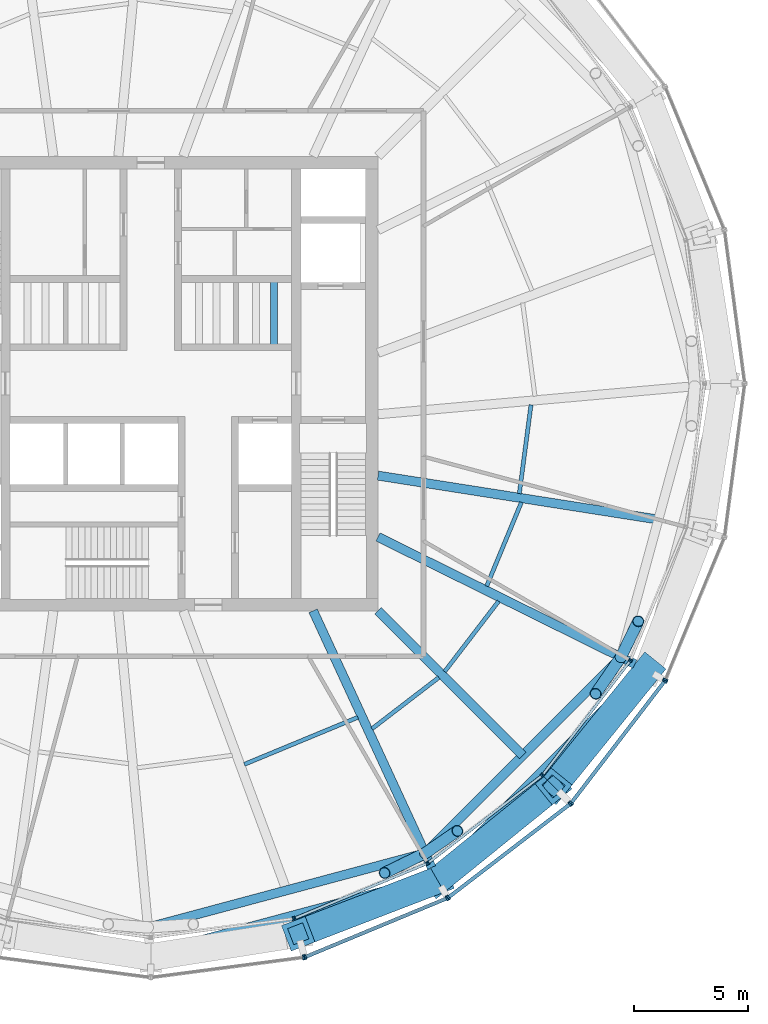
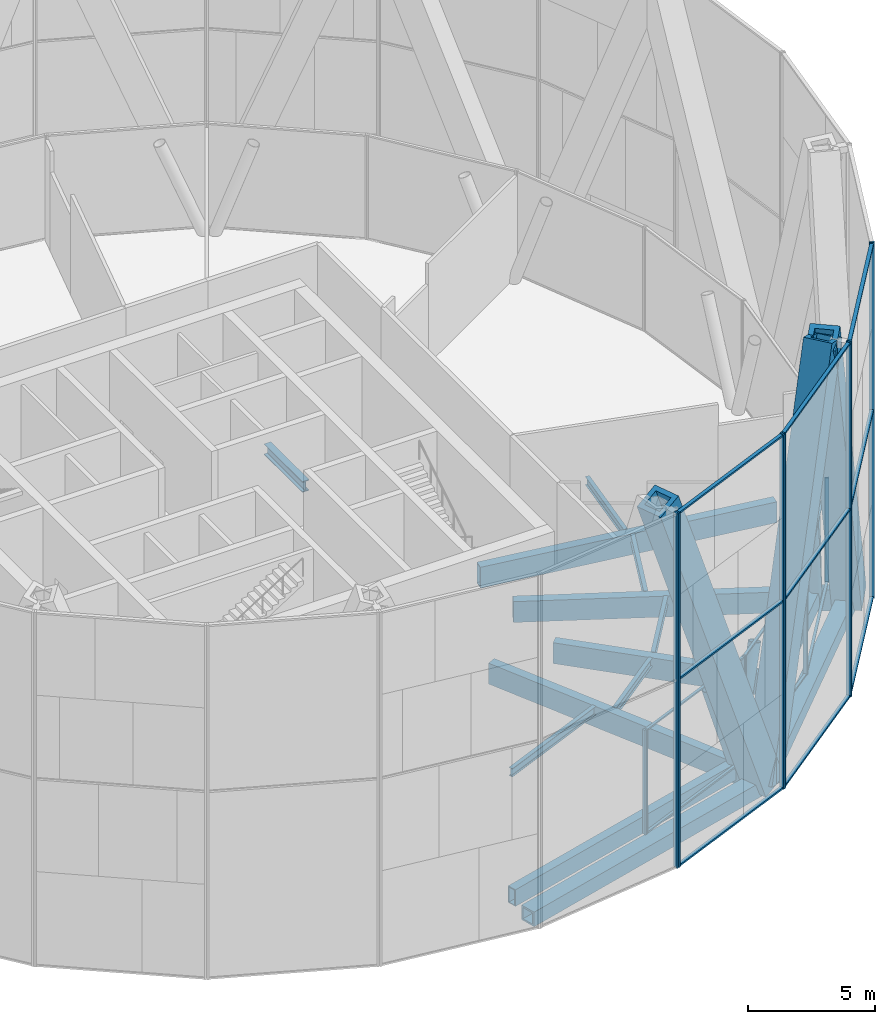
# One storey, part 4 of 17: 38 members, 14 beams, 10 elements without a shape of their own.
"""IFC4 building model written with IfcOpenShell, lengths in metres."""

from ifc_helpers import new_model, si_unit, direction, frame, origin, origin_2d, place, context, subcontext, project, spatial, rectangle, hollow_rectangle, hollow_circle, i_section, extrude, material, material_profile, profile_set, type_object, element, aggregate, save


model = new_model("IFC4")

# Units and contexts
model_context = context("Model", 3, precision=1e-05, world=origin(), true_north=direction((0.0, 1.0)))
body_context = subcontext(model_context, "Body", "Model", "MODEL_VIEW")
ifc_project = project(units=[si_unit("LENGTHUNIT", "METRE"), si_unit("AREAUNIT", "SQUARE_METRE"), si_unit("VOLUMEUNIT", "CUBIC_METRE"), si_unit("PLANEANGLEUNIT", "RADIAN"), si_unit("MASSUNIT", "GRAM", prefix="KILO")], contexts=[model_context])

# Site, building, storey
site_placement = place(None, origin())
site = spatial("IfcSite", under=ifc_project, at=site_placement, CompositionType="ELEMENT")
building_placement = place(site_placement, origin())
building = spatial("IfcBuilding", under=site, at=building_placement, Name="Golbaran Civic Tower", CompositionType="ELEMENT")
storey_placement = place(building_placement, frame((0.0, 0.0, 150.0)))
storey = spatial("IfcBuildingStorey", under=building, at=storey_placement, Name="L36", CompositionType="ELEMENT", Elevation=150.0)

# Members
ifc_material_1 = material(Name="Steel S355", Category="steel")
ifc_material_profile_1 = material_profile(ifc_material_1, hollow_circle(Radius=0.25390625, WallThickness=0.02490234375, at=origin_2d()), Name="CHS 508.0x25")
ifc_profile_set_1 = profile_set([ifc_material_profile_1], Name="Steel S355")
member_type_1 = type_object("IfcMemberType", Name="BELT TRUSS DIAGONAL CHS 508.0x25", PredefinedType="BRACE", material=ifc_profile_set_1)
member_1_placement = place(storey_placement, frame((12.068603515625, -20.66552734375, -0.60009765625), z_axis=(0.269161972985, 0.18559394057, 0.945043237912), x_axis=(-0.567660393907, 0.823262823884, 0.0)))
element("IfcMember", 1, at=member_1_placement, inside=storey, type_object=member_type_1, Name="Belt truss diagonal 300.00R L36", PredefinedType="BRACE", context=body_context, shape_type="SweptSolid", body=[
    extrude(hollow_circle(Radius=0.25390625, WallThickness=0.02490234375, at=origin_2d()), origin(), (0.0, 0.0, 1.0), 5.290771484375),
])
member_2_placement = place(storey_placement, frame((12.068603515625, -20.66552734375, -0.60009765625), z_axis=(-0.331275116984, -0.161325262505, 0.929640229629), x_axis=(0.437826456737, -0.899059505139, 0.0)))
element("IfcMember", 2, at=member_2_placement, inside=storey, type_object=member_type_1, Name="Belt truss diagonal 300.00L L36", PredefinedType="BRACE", context=body_context, shape_type="SweptSolid", body=[
    extrude(hollow_circle(Radius=0.25390625, WallThickness=0.02490234375, at=origin_2d()), origin(), (0.0, 0.0, 1.0), 5.37841796875),
])
member_3_placement = place(storey_placement, frame((20.683349609375, -12.037841796875, -0.60009765625), z_axis=(0.144666349872, 0.297948179816, 0.943556320184), x_axis=(-0.89956906414, 0.436778546683, 0.0)))
element("IfcMember", 3, at=member_3_placement, inside=storey, type_object=member_type_1, Name="Belt truss diagonal 330.00R L36", PredefinedType="BRACE", context=body_context, shape_type="SweptSolid", body=[
    extrude(hollow_circle(Radius=0.25390625, WallThickness=0.02490234375, at=origin_2d()), origin(), (0.0, 0.0, 1.0), 5.299072265625),
])
member_4_placement = place(storey_placement, frame((20.683349609375, -12.037841796875, -0.60009765625), z_axis=(-0.206640802217, -0.300481641772, 0.931133911861), x_axis=(0.823965525405, -0.56663993236, 0.0)))
element("IfcMember", 4, at=member_4_placement, inside=storey, type_object=member_type_1, Name="Belt truss diagonal 330.00L L36", PredefinedType="BRACE", context=body_context, shape_type="SweptSolid", body=[
    extrude(hollow_circle(Radius=0.25390625, WallThickness=0.02490234375, at=origin_2d()), origin(), (0.0, 0.0, 1.0), 5.369873046875),
])
ifc_material_profile_2 = material_profile(ifc_material_1, hollow_rectangle(XDim=1.199951171875, YDim=1.199951171875, WallThickness=0.219970703125, at=origin_2d()), Name="BOX 1200x1200x220")
ifc_profile_set_2 = profile_set([ifc_material_profile_2], Name="Steel S355")
member_type_2 = type_object("IfcMemberType", Name="DIAGRID DIAGONAL BOX 1200x1200x220", PredefinedType="BRACE", material=ifc_profile_set_2)
for number, where, z_axis, x_axis, name in (
    (5, (12.616943359375, -21.853271484375, -0.7099609375), (0.280131041779, 0.22667961159, 0.932814533078), (-0.629042080003, 0.77737125081, 0.0), "Diagonal D08-10R L36-L40"),
    (6, (12.616943359375, -21.853271484375, -0.7099609375), (-0.336369669426, -0.129261656788, 0.932816632342), (0.358710018371, -0.933449046665, 0.0), "Diagonal D08-10L L36-L40"),
    (7, (21.853271484375, -12.616943359375, -0.7099609375), (-0.22667961159, -0.280131041779, 0.932814533078), (0.77737125081, -0.629042080003, 0.0), "Diagonal D08-11L L36-L40"),
):
    element("IfcMember", number, at=place(storey_placement, frame(where, z_axis=z_axis, x_axis=x_axis)), inside=storey, type_object=member_type_2, Name=name, PredefinedType="BRACE", context=body_context, shape_type="SweptSolid", body=[
        extrude(hollow_rectangle(XDim=1.199951171875, YDim=1.199951171875, WallThickness=0.219970703125, at=origin_2d()), origin(), (0.0, 0.0, 1.0), 18.224365234375),
    ])

# Beams
ifc_material_profile_3 = material_profile(ifc_material_1, hollow_rectangle(XDim=0.699951171875, YDim=0.699951171875, WallThickness=0.080078125, at=origin_2d()), Name="BOX 700x700x80")
ifc_profile_set_3 = profile_set([ifc_material_profile_3], Name="Steel S355")
beam_type_1 = type_object("IfcBeamType", Name="DIAGRID RING TIE BOX 700x700x80", PredefinedType="BEAM", material=ifc_profile_set_3)
beam_1_placement = place(storey_placement, frame((0.0, -25.23388671875, -0.7099609375), z_axis=(0.965927444509, 0.258813005749, 0.0), x_axis=(-0.258813005749, 0.965927444509, 0.0)))
element("IfcBeam", 8, at=beam_1_placement, inside=storey, type_object=beam_type_1, Name="Ring tie 270.00 L36", PredefinedType="BEAM", context=body_context, shape_type="SweptSolid", body=[
    extrude(hollow_rectangle(XDim=0.699951171875, YDim=0.699951171875, WallThickness=0.080078125, at=origin_2d()), origin(), (0.0, 0.0, 1.0), 13.06201171875),
])
beam_2_placement = place(storey_placement, frame((12.616943359375, -21.853271484375, -0.7099609375), z_axis=(0.707106781187, 0.707106781187, 0.0), x_axis=(-0.707106781187, 0.707106781187, 0.0)))
element("IfcBeam", 9, at=beam_2_placement, inside=storey, type_object=beam_type_1, Name="Ring tie 300.00 L36", PredefinedType="BEAM", context=body_context, shape_type="SweptSolid", body=[
    extrude(hollow_rectangle(XDim=0.699951171875, YDim=0.699951171875, WallThickness=0.080078125, at=origin_2d()), origin(), (0.0, 0.0, 1.0), 13.062255859375),
])
ifc_material_profile_4 = material_profile(ifc_material_1, hollow_rectangle(XDim=0.39990234375, YDim=0.800048828125, WallThickness=0.0400390625, at=origin_2d()), Name="BOX 800x400x40")
ifc_profile_set_4 = profile_set([ifc_material_profile_4], Name="Steel S355")
beam_type_2 = type_object("IfcBeamType", Name="EDGE BEAM BOX 800x400x40", PredefinedType="BEAM", material=ifc_profile_set_4)
beam_3_placement = place(storey_placement, frame((0.05419921875, -23.884033203125, -0.60009765625), z_axis=(0.965942361173, 0.25875732819, 0.0), x_axis=(-0.25875732819, 0.965942361173, 0.0)))
element("IfcBeam", 10, at=beam_3_placement, inside=storey, type_object=beam_type_2, Name="Edge beam 270.00 L36", PredefinedType="BEAM", context=body_context, shape_type="SweptSolid", body=[
    extrude(hollow_rectangle(XDim=0.39990234375, YDim=0.800048828125, WallThickness=0.0400390625, at=origin_2d()), origin(), (0.0, 0.0, 1.0), 12.25537109375),
])
beam_4_placement = place(storey_placement, frame((12.2041015625, -20.52978515625, -0.60009765625), z_axis=(0.706589807333, 0.707623377351, 0.0), x_axis=(-0.707623377351, 0.706589807333, 0.0)))
element("IfcBeam", 11, at=beam_4_placement, inside=storey, type_object=beam_type_2, Name="Edge beam 300.00 L36", PredefinedType="BEAM", context=body_context, shape_type="SweptSolid", body=[
    extrude(hollow_rectangle(XDim=0.39990234375, YDim=0.800048828125, WallThickness=0.0400390625, at=origin_2d()), origin(), (0.0, 0.0, 1.0), 11.810546875),
])
ifc_material_profile_5 = material_profile(ifc_material_1, i_section(OverallWidth=0.179931640625, OverallDepth=0.39990234375, WebThickness=0.008544921875, FlangeThickness=0.013427734375, FilletRadius=0.02099609375, at=origin_2d()), Name="IPE 400")
ifc_profile_set_5 = profile_set([ifc_material_profile_5], Name="Steel S355")
beam_type_3 = type_object("IfcBeamType", Name="FLOOR INFILL BEAM IPE 400", PredefinedType="BEAM", material=ifc_profile_set_5)
beam_5_placement = place(storey_placement, frame((4.1171875, -16.753662109375, -0.39990234375), z_axis=(0.923873082412, 0.38269900391, 0.0), x_axis=(-0.38269900391, 0.923873082412, 0.0)))
element("IfcBeam", 12, at=beam_5_placement, inside=storey, type_object=beam_type_3, Name="Infill beam 292.50 L36", PredefinedType="BEAM", context=body_context, shape_type="SweptSolid", body=[
    extrude(i_section(OverallWidth=0.179931640625, OverallDepth=0.39990234375, WebThickness=0.008544921875, FlangeThickness=0.013427734375, FilletRadius=0.02099609375, at=origin_2d()), origin(), (0.0, 0.0, 1.0), 5.40283203125),
])
beam_6_placement = place(storey_placement, frame((9.73583984375, -15.185546875, -0.39990234375), z_axis=(0.793365568043, 0.608745493161, 0.0), x_axis=(-0.608745493161, 0.793365568043, 0.0)))
element("IfcBeam", 13, at=beam_6_placement, inside=storey, type_object=beam_type_3, Name="Infill beam 307.50 L36", PredefinedType="BEAM", context=body_context, shape_type="SweptSolid", body=[
    extrude(i_section(OverallWidth=0.179931640625, OverallDepth=0.39990234375, WebThickness=0.008544921875, FlangeThickness=0.013427734375, FilletRadius=0.02099609375, at=origin_2d()), origin(), (0.0, 0.0, 1.0), 3.705322265625),
])
beam_7_placement = place(storey_placement, frame((12.928466796875, -12.673828125, -0.39990234375), z_axis=(0.608749219954, 0.793362708479, 0.0), x_axis=(-0.793362708479, 0.608749219954, 0.0)))
element("IfcBeam", 14, at=beam_7_placement, inside=storey, type_object=beam_type_3, Name="Infill beam 322.50 L36", PredefinedType="BEAM", context=body_context, shape_type="SweptSolid", body=[
    extrude(i_section(OverallWidth=0.179931640625, OverallDepth=0.39990234375, WebThickness=0.008544921875, FlangeThickness=0.013427734375, FilletRadius=0.02099609375, at=origin_2d()), origin(), (0.0, 0.0, 1.0), 3.90380859375),
])
beam_8_placement = place(storey_placement, frame((14.779052734375, -8.91455078125, -0.39990234375), z_axis=(0.382693412295, 0.923875398626, 0.0), x_axis=(-0.923875398626, 0.382693412295, 0.0)))
element("IfcBeam", 15, at=beam_8_placement, inside=storey, type_object=beam_type_3, Name="Infill beam 337.50 L36", PredefinedType="BEAM", context=body_context, shape_type="SweptSolid", body=[
    extrude(i_section(OverallWidth=0.179931640625, OverallDepth=0.39990234375, WebThickness=0.008544921875, FlangeThickness=0.013427734375, FilletRadius=0.02099609375, at=origin_2d()), origin(), (0.0, 0.0, 1.0), 3.997314453125),
])
beam_9_placement = place(storey_placement, frame((16.216064453125, -4.842529296875, -0.39990234375), z_axis=(0.13055704672, 0.991440798813, 0.0), x_axis=(-0.991440798813, 0.13055704672, 0.0)))
element("IfcBeam", 16, at=beam_9_placement, inside=storey, type_object=beam_type_3, Name="Infill beam 352.50 L36", PredefinedType="BEAM", context=body_context, shape_type="SweptSolid", body=[
    extrude(i_section(OverallWidth=0.179931640625, OverallDepth=0.39990234375, WebThickness=0.008544921875, FlangeThickness=0.013427734375, FilletRadius=0.02099609375, at=origin_2d()), origin(), (0.0, 0.0, 1.0), 3.94189453125),
])
ifc_material_profile_6 = material_profile(ifc_material_1, i_section(OverallWidth=0.305908203125, OverallDepth=0.52392578125, WebThickness=0.02099609375, FlangeThickness=0.0400390625, FilletRadius=0.027099609375, at=origin_2d()), Name="HEM 500")
ifc_profile_set_6 = profile_set([ifc_material_profile_6], Name="Steel S355")
beam_type_4 = type_object("IfcBeamType", Name="LIFT PIT BEAM HEM 500", PredefinedType="BEAM", material=ifc_profile_set_6)
beam_10_placement = place(storey_placement, frame((5.416748046875, 1.60009765625, 1.738037109375), z_axis=(0.0, 1.0, 0.0), x_axis=(-1.0, 0.0, 0.0)))
element("IfcBeam", 17, at=beam_10_placement, inside=storey, type_object=beam_type_4, Name="Lift pit beam Z4H 2", PredefinedType="BEAM", context=body_context, shape_type="SweptSolid", body=[
    extrude(i_section(OverallWidth=0.305908203125, OverallDepth=0.52392578125, WebThickness=0.02099609375, FlangeThickness=0.0400390625, FilletRadius=0.027099609375, at=origin_2d()), origin(), (0.0, 0.0, 1.0), 3.0),
])

# Curtain wall, member
ifc_material_2 = material(Name="Aluminium and glass", Category="aluminium")
curtain_wall_type_1 = type_object("IfcCurtainWallType", Name="OUTER SKIN TERRACOTTA SCREEN", PredefinedType="NOTDEFINED", material=ifc_material_2)
curtain_wall_1_placement = place(storey_placement, origin())
curtain_wall_1 = element("IfcCurtainWall", 18, at=curtain_wall_1_placement, inside=storey, type_object=curtain_wall_type_1, Name="Outer skin L36 facet 19 CW3", ObjectType="OUTER SKIN", PredefinedType="USERDEFINED")
ifc_material_3 = material(Name="Aluminium", Category="aluminium")
ifc_material_profile_7 = material_profile(ifc_material_3, rectangle(XDim=0.219970703125, YDim=0.080078125, at=origin_2d()), Name="OUTER SKIN TERRACOTTA SCREEN MULLION")
ifc_profile_set_7 = profile_set([ifc_material_profile_7], Name="Aluminium")
member_type_3 = type_object("IfcMemberType", Name="OUTER SKIN TERRACOTTA SCREEN MULLION", PredefinedType="MULLION", material=ifc_profile_set_7)
member_5_placement = place(storey_placement, frame((6.724365234375, -25.248779296875, -0.7099609375), z_axis=(0.0, 0.0, 1.0), x_axis=(-0.130526192255, 0.991444861369, 0.0)))
member_5 = element("IfcMember", 19, at=member_5_placement, type_object=member_type_3, Name="CW3 mullion 2", PredefinedType="MULLION", context=body_context, shape_type="SweptSolid", body=[
    extrude(rectangle(XDim=0.219970703125, YDim=0.080078125, at=origin_2d()), origin(), (0.0, 0.0, 1.0), 17.0),
])
aggregate(curtain_wall_1, [member_5])

# Curtain wall, members
curtain_wall_2_placement = place(storey_placement, origin())
curtain_wall_2 = element("IfcCurtainWall", 20, at=curtain_wall_2_placement, inside=storey, type_object=curtain_wall_type_1, Name="Outer skin L36 facet 20 CW3", ObjectType="OUTER SKIN", PredefinedType="USERDEFINED")
member_6_placement = place(storey_placement, frame((6.801025390625, -25.228271484375, -0.7099609375), z_axis=(0.0, 0.0, 1.0), x_axis=(-0.382683432284, 0.923879532545, 0.0)))
member_6 = element("IfcMember", 21, at=member_6_placement, type_object=member_type_3, Name="CW3 mullion 1", PredefinedType="MULLION", context=body_context, shape_type="SweptSolid", body=[
    extrude(rectangle(XDim=0.219970703125, YDim=0.080078125, at=origin_2d()), origin(), (0.0, 0.0, 1.0), 17.0),
])
member_7_placement = place(storey_placement, frame((13.030029296875, -22.64794921875, -0.7099609375), z_axis=(0.0, 0.0, 1.0), x_axis=(-0.382683432284, 0.923879532545, 0.0)))
member_7 = element("IfcMember", 22, at=member_7_placement, type_object=member_type_3, Name="CW3 mullion 2", PredefinedType="MULLION", context=body_context, shape_type="SweptSolid", body=[
    extrude(rectangle(XDim=0.219970703125, YDim=0.080078125, at=origin_2d()), origin(), (0.0, 0.0, 1.0), 17.0),
])

curtain_wall_3_placement = place(storey_placement, origin())
curtain_wall_3 = element("IfcCurtainWall", 23, at=curtain_wall_3_placement, inside=storey, type_object=curtain_wall_type_1, Name="Outer skin L36 facet 21 CW3", ObjectType="OUTER SKIN", PredefinedType="USERDEFINED")
member_8_placement = place(storey_placement, frame((13.0986328125, -22.6083984375, -0.7099609375), z_axis=(0.0, 0.0, 1.0), x_axis=(-0.608761428981, 0.793353340312, 0.0)))
member_8 = element("IfcMember", 24, at=member_8_placement, type_object=member_type_3, Name="CW3 mullion 1", PredefinedType="MULLION", context=body_context, shape_type="SweptSolid", body=[
    extrude(rectangle(XDim=0.219970703125, YDim=0.080078125, at=origin_2d()), origin(), (0.0, 0.0, 1.0), 17.0),
])
member_9_placement = place(storey_placement, frame((18.44775390625, -18.50390625, -0.7099609375), z_axis=(0.0, 0.0, 1.0), x_axis=(-0.608761428981, 0.793353340312, 0.0)))
member_9 = element("IfcMember", 25, at=member_9_placement, type_object=member_type_3, Name="CW3 mullion 2", PredefinedType="MULLION", context=body_context, shape_type="SweptSolid", body=[
    extrude(rectangle(XDim=0.219970703125, YDim=0.080078125, at=origin_2d()), origin(), (0.0, 0.0, 1.0), 17.0),
])

curtain_wall_4_placement = place(storey_placement, origin())
curtain_wall_4 = element("IfcCurtainWall", 26, at=curtain_wall_4_placement, inside=storey, type_object=curtain_wall_type_1, Name="Outer skin L36 facet 22 CW3", ObjectType="OUTER SKIN", PredefinedType="USERDEFINED")
member_10_placement = place(storey_placement, frame((18.50390625, -18.44775390625, -0.7099609375), z_axis=(0.0, 0.0, 1.0), x_axis=(-0.793353340312, 0.608761428981, 0.0)))
member_10 = element("IfcMember", 27, at=member_10_placement, type_object=member_type_3, Name="CW3 mullion 1", PredefinedType="MULLION", context=body_context, shape_type="SweptSolid", body=[
    extrude(rectangle(XDim=0.219970703125, YDim=0.080078125, at=origin_2d()), origin(), (0.0, 0.0, 1.0), 17.0),
])
member_11_placement = place(storey_placement, frame((22.6083984375, -13.0986328125, -0.7099609375), z_axis=(0.0, 0.0, 1.0), x_axis=(-0.793353340312, 0.608761428981, 0.0)))
member_11 = element("IfcMember", 28, at=member_11_placement, type_object=member_type_3, Name="CW3 mullion 2", PredefinedType="MULLION", context=body_context, shape_type="SweptSolid", body=[
    extrude(rectangle(XDim=0.219970703125, YDim=0.080078125, at=origin_2d()), origin(), (0.0, 0.0, 1.0), 17.0),
])

# Curtain wall, member
curtain_wall_5_placement = place(storey_placement, origin())
curtain_wall_5 = element("IfcCurtainWall", 29, at=curtain_wall_5_placement, inside=storey, type_object=curtain_wall_type_1, Name="Outer skin L36 facet 23 CW3", ObjectType="OUTER SKIN", PredefinedType="USERDEFINED")
member_12_placement = place(storey_placement, frame((22.64794921875, -13.030029296875, -0.7099609375), z_axis=(0.0, 0.0, 1.0), x_axis=(-0.923879532545, 0.382683432284, 0.0)))
member_12 = element("IfcMember", 30, at=member_12_placement, type_object=member_type_3, Name="CW3 mullion 1", PredefinedType="MULLION", context=body_context, shape_type="SweptSolid", body=[
    extrude(rectangle(XDim=0.219970703125, YDim=0.080078125, at=origin_2d()), origin(), (0.0, 0.0, 1.0), 17.0),
])
aggregate(curtain_wall_5, [member_12])

# Member
ifc_material_profile_8 = material_profile(ifc_material_3, rectangle(XDim=0.159912109375, YDim=0.080078125, at=origin_2d()), Name="OUTER SKIN TERRACOTTA SCREEN TRANSOM")
ifc_profile_set_8 = profile_set([ifc_material_profile_8], Name="Aluminium")
member_type_4 = type_object("IfcMemberType", Name="OUTER SKIN TERRACOTTA SCREEN TRANSOM", PredefinedType="USERDEFINED", material=ifc_profile_set_8)
member_13_placement = place(storey_placement, frame((6.837890625, -25.212890625, -0.669921875), z_axis=(0.923881506114, 0.382678667632, 0.0), x_axis=(-0.382678667632, 0.923881506114, 0.0)))
member_13 = element("IfcMember", 31, at=member_13_placement, type_object=member_type_4, Name="CW3 transom 1.1", ObjectType="TRANSOM", PredefinedType="USERDEFINED", context=body_context, shape_type="SweptSolid", body=[
    extrude(rectangle(XDim=0.159912109375, YDim=0.080078125, at=origin_2d()), origin(), (0.0, 0.0, 1.0), 6.662353515625),
])

member_14_placement = place(storey_placement, frame((6.837890625, -25.212890625, 8.2900390625), z_axis=(0.923881506114, 0.382678667632, 0.0), x_axis=(-0.382678667632, 0.923881506114, 0.0)))
member_14 = element("IfcMember", 32, at=member_14_placement, type_object=member_type_4, Name="CW3 transom 1.2", ObjectType="TRANSOM", PredefinedType="USERDEFINED", context=body_context, shape_type="SweptSolid", body=[
    extrude(rectangle(XDim=0.159912109375, YDim=0.080078125, at=origin_2d()), origin(), (0.0, 0.0, 1.0), 6.662353515625),
])

member_15_placement = place(storey_placement, frame((6.837890625, -25.212890625, 16.25), z_axis=(0.923881506114, 0.382678667632, 0.0), x_axis=(-0.382678667632, 0.923881506114, 0.0)))
member_15 = element("IfcMember", 33, at=member_15_placement, type_object=member_type_4, Name="CW3 transom 1.3", ObjectType="TRANSOM", PredefinedType="USERDEFINED", context=body_context, shape_type="SweptSolid", body=[
    extrude(rectangle(XDim=0.159912109375, YDim=0.080078125, at=origin_2d()), origin(), (0.0, 0.0, 1.0), 6.662353515625),
])

aggregate(curtain_wall_2, [member_6, member_7, member_13, member_14, member_15])

member_16_placement = place(storey_placement, frame((13.13037109375, -22.583984375, -0.669921875), z_axis=(0.793364477442, 0.608746914516, 0.0), x_axis=(-0.608746914516, 0.793364477442, 0.0)))
member_16 = element("IfcMember", 34, at=member_16_placement, type_object=member_type_4, Name="CW3 transom 1.1", ObjectType="TRANSOM", PredefinedType="USERDEFINED", context=body_context, shape_type="SweptSolid", body=[
    extrude(rectangle(XDim=0.159912109375, YDim=0.080078125, at=origin_2d()), origin(), (0.0, 0.0, 1.0), 6.662353515625),
])

member_17_placement = place(storey_placement, frame((13.13037109375, -22.583984375, 8.2900390625), z_axis=(0.793364477442, 0.608746914516, 0.0), x_axis=(-0.608746914516, 0.793364477442, 0.0)))
member_17 = element("IfcMember", 35, at=member_17_placement, type_object=member_type_4, Name="CW3 transom 1.2", ObjectType="TRANSOM", PredefinedType="USERDEFINED", context=body_context, shape_type="SweptSolid", body=[
    extrude(rectangle(XDim=0.159912109375, YDim=0.080078125, at=origin_2d()), origin(), (0.0, 0.0, 1.0), 6.662353515625),
])

member_18_placement = place(storey_placement, frame((13.13037109375, -22.583984375, 16.25), z_axis=(0.793364477442, 0.608746914516, 0.0), x_axis=(-0.608746914516, 0.793364477442, 0.0)))
member_18 = element("IfcMember", 36, at=member_18_placement, type_object=member_type_4, Name="CW3 transom 1.3", ObjectType="TRANSOM", PredefinedType="USERDEFINED", context=body_context, shape_type="SweptSolid", body=[
    extrude(rectangle(XDim=0.159912109375, YDim=0.080078125, at=origin_2d()), origin(), (0.0, 0.0, 1.0), 6.662353515625),
])

aggregate(curtain_wall_3, [member_8, member_9, member_16, member_17, member_18])

member_19_placement = place(storey_placement, frame((18.5283203125, -18.416015625, -0.669921875), z_axis=(0.608746914516, 0.793364477442, 0.0), x_axis=(-0.793364477442, 0.608746914516, 0.0)))
member_19 = element("IfcMember", 37, at=member_19_placement, type_object=member_type_4, Name="CW3 transom 1.1", ObjectType="TRANSOM", PredefinedType="USERDEFINED", context=body_context, shape_type="SweptSolid", body=[
    extrude(rectangle(XDim=0.159912109375, YDim=0.080078125, at=origin_2d()), origin(), (0.0, 0.0, 1.0), 6.662353515625),
])

member_20_placement = place(storey_placement, frame((18.5283203125, -18.416015625, 8.2900390625), z_axis=(0.608746914516, 0.793364477442, 0.0), x_axis=(-0.793364477442, 0.608746914516, 0.0)))
member_20 = element("IfcMember", 38, at=member_20_placement, type_object=member_type_4, Name="CW3 transom 1.2", ObjectType="TRANSOM", PredefinedType="USERDEFINED", context=body_context, shape_type="SweptSolid", body=[
    extrude(rectangle(XDim=0.159912109375, YDim=0.080078125, at=origin_2d()), origin(), (0.0, 0.0, 1.0), 6.662353515625),
])

member_21_placement = place(storey_placement, frame((18.5283203125, -18.416015625, 16.25), z_axis=(0.608746914516, 0.793364477442, 0.0), x_axis=(-0.793364477442, 0.608746914516, 0.0)))
member_21 = element("IfcMember", 39, at=member_21_placement, type_object=member_type_4, Name="CW3 transom 1.3", ObjectType="TRANSOM", PredefinedType="USERDEFINED", context=body_context, shape_type="SweptSolid", body=[
    extrude(rectangle(XDim=0.159912109375, YDim=0.080078125, at=origin_2d()), origin(), (0.0, 0.0, 1.0), 6.662353515625),
])

aggregate(curtain_wall_4, [member_10, member_11, member_19, member_20, member_21])

# Curtain wall, member
curtain_wall_type_2 = type_object("IfcCurtainWallType", Name="PLANT FLOOR LOUVRE WALL", PredefinedType="NOTDEFINED", material=ifc_material_2)
curtain_wall_6_placement = place(storey_placement, origin())
curtain_wall_6 = element("IfcCurtainWall", 40, at=curtain_wall_6_placement, inside=storey, type_object=curtain_wall_type_2, Name="Inner skin L36 facet 19 CW6", ObjectType="PLANT LOUVRE WALL", PredefinedType="USERDEFINED")
ifc_material_profile_9 = material_profile(ifc_material_3, rectangle(XDim=0.159912109375, YDim=0.070068359375, at=origin_2d()), Name="PLANT FLOOR LOUVRE WALL MULLION")
ifc_profile_set_9 = profile_set([ifc_material_profile_9], Name="Aluminium")
member_type_5 = type_object("IfcMemberType", Name="PLANT FLOOR LOUVRE WALL MULLION", PredefinedType="MULLION", material=ifc_profile_set_9)
member_22_placement = place(storey_placement, frame((6.272705078125, -23.544189453125, 0.0), z_axis=(0.0, 0.0, 1.0), x_axis=(-0.130526192168, 0.991444861381, 0.0)))
member_22 = element("IfcMember", 41, at=member_22_placement, type_object=member_type_5, Name="CW6 mullion 2", PredefinedType="MULLION", context=body_context, shape_type="SweptSolid", body=[
    extrude(rectangle(XDim=0.159912109375, YDim=0.070068359375, at=origin_2d()), origin(), (0.0, 0.0, 1.0), 5.0),
])
aggregate(curtain_wall_6, [member_22])

# Curtain wall, members
curtain_wall_7_placement = place(storey_placement, origin())
curtain_wall_7 = element("IfcCurtainWall", 42, at=curtain_wall_7_placement, inside=storey, type_object=curtain_wall_type_2, Name="Inner skin L36 facet 20 CW6", ObjectType="PLANT LOUVRE WALL", PredefinedType="USERDEFINED")
member_23_placement = place(storey_placement, frame((6.33984375, -23.526123046875, 0.0), z_axis=(0.0, 0.0, 1.0), x_axis=(-0.38268343243, 0.923879532485, 0.0)))
member_23 = element("IfcMember", 43, at=member_23_placement, type_object=member_type_5, Name="CW6 mullion 1", PredefinedType="MULLION", context=body_context, shape_type="SweptSolid", body=[
    extrude(rectangle(XDim=0.159912109375, YDim=0.070068359375, at=origin_2d()), origin(), (0.0, 0.0, 1.0), 5.0),
])
member_24_placement = place(storey_placement, frame((12.152587890625, -21.118408203125, 0.0), z_axis=(0.0, 0.0, 1.0), x_axis=(-0.38268343243, 0.923879532485, 0.0)))
member_24 = element("IfcMember", 44, at=member_24_placement, type_object=member_type_5, Name="CW6 mullion 2", PredefinedType="MULLION", context=body_context, shape_type="SweptSolid", body=[
    extrude(rectangle(XDim=0.159912109375, YDim=0.070068359375, at=origin_2d()), origin(), (0.0, 0.0, 1.0), 5.0),
])

curtain_wall_8_placement = place(storey_placement, origin())
curtain_wall_8 = element("IfcCurtainWall", 45, at=curtain_wall_8_placement, inside=storey, type_object=curtain_wall_type_2, Name="Inner skin L36 facet 21 CW6", ObjectType="PLANT LOUVRE WALL", PredefinedType="USERDEFINED")
member_25_placement = place(storey_placement, frame((12.212646484375, -21.083740234375, 0.0), z_axis=(0.0, 0.0, 1.0), x_axis=(-0.608761428898, 0.793353340376, 0.0)))
member_25 = element("IfcMember", 46, at=member_25_placement, type_object=member_type_5, Name="CW6 mullion 1", PredefinedType="MULLION", context=body_context, shape_type="SweptSolid", body=[
    extrude(rectangle(XDim=0.159912109375, YDim=0.070068359375, at=origin_2d()), origin(), (0.0, 0.0, 1.0), 5.0),
])
member_26_placement = place(storey_placement, frame((17.204345703125, -17.25341796875, 0.0), z_axis=(0.0, 0.0, 1.0), x_axis=(-0.608761428898, 0.793353340376, 0.0)))
member_26 = element("IfcMember", 47, at=member_26_placement, type_object=member_type_5, Name="CW6 mullion 2", PredefinedType="MULLION", context=body_context, shape_type="SweptSolid", body=[
    extrude(rectangle(XDim=0.159912109375, YDim=0.070068359375, at=origin_2d()), origin(), (0.0, 0.0, 1.0), 5.0),
])

curtain_wall_9_placement = place(storey_placement, origin())
curtain_wall_9 = element("IfcCurtainWall", 48, at=curtain_wall_9_placement, inside=storey, type_object=curtain_wall_type_2, Name="Inner skin L36 facet 22 CW6", ObjectType="PLANT LOUVRE WALL", PredefinedType="USERDEFINED")
member_27_placement = place(storey_placement, frame((17.25341796875, -17.204345703125, 0.0), z_axis=(0.0, 0.0, 1.0), x_axis=(-0.793353340376, 0.608761428898, 0.0)))
member_27 = element("IfcMember", 49, at=member_27_placement, type_object=member_type_5, Name="CW6 mullion 1", PredefinedType="MULLION", context=body_context, shape_type="SweptSolid", body=[
    extrude(rectangle(XDim=0.159912109375, YDim=0.070068359375, at=origin_2d()), origin(), (0.0, 0.0, 1.0), 5.0),
])
member_28_placement = place(storey_placement, frame((21.083740234375, -12.212646484375, 0.0), z_axis=(0.0, 0.0, 1.0), x_axis=(-0.793353340376, 0.608761428898, 0.0)))
member_28 = element("IfcMember", 50, at=member_28_placement, type_object=member_type_5, Name="CW6 mullion 2", PredefinedType="MULLION", context=body_context, shape_type="SweptSolid", body=[
    extrude(rectangle(XDim=0.159912109375, YDim=0.070068359375, at=origin_2d()), origin(), (0.0, 0.0, 1.0), 5.0),
])

# Curtain wall, member
curtain_wall_10_placement = place(storey_placement, origin())
curtain_wall_10 = element("IfcCurtainWall", 51, at=curtain_wall_10_placement, inside=storey, type_object=curtain_wall_type_2, Name="Inner skin L36 facet 23 CW6", ObjectType="PLANT LOUVRE WALL", PredefinedType="USERDEFINED")
member_29_placement = place(storey_placement, frame((21.118408203125, -12.152587890625, 0.0), z_axis=(0.0, 0.0, 1.0), x_axis=(-0.923879532485, 0.38268343243, 0.0)))
member_29 = element("IfcMember", 52, at=member_29_placement, type_object=member_type_5, Name="CW6 mullion 1", PredefinedType="MULLION", context=body_context, shape_type="SweptSolid", body=[
    extrude(rectangle(XDim=0.159912109375, YDim=0.070068359375, at=origin_2d()), origin(), (0.0, 0.0, 1.0), 5.0),
])
aggregate(curtain_wall_10, [member_29])

# Member
ifc_material_profile_10 = material_profile(ifc_material_3, rectangle(XDim=0.1201171875, YDim=0.070068359375, at=origin_2d()), Name="PLANT FLOOR LOUVRE WALL TRANSOM")
ifc_profile_set_10 = profile_set([ifc_material_profile_10], Name="Aluminium")
member_type_6 = type_object("IfcMemberType", Name="PLANT FLOOR LOUVRE WALL TRANSOM", PredefinedType="USERDEFINED", material=ifc_profile_set_10)
member_30_placement = place(storey_placement, frame((6.3720703125, -23.512939453125, 0.034912109375), z_axis=(0.923874792408, 0.382694875785, 0.0), x_axis=(-0.382694875785, 0.923874792408, 0.0)))
member_30 = element("IfcMember", 53, at=member_30_placement, type_object=member_type_6, Name="CW6 transom 1.1", ObjectType="TRANSOM", PredefinedType="USERDEFINED", context=body_context, shape_type="SweptSolid", body=[
    extrude(rectangle(XDim=0.1201171875, YDim=0.070068359375, at=origin_2d()), origin(), (0.0, 0.0, 1.0), 6.221923828125),
])

member_31_placement = place(storey_placement, frame((6.3720703125, -23.512939453125, 4.965087890625), z_axis=(0.923874792408, 0.382694875785, 0.0), x_axis=(-0.382694875785, 0.923874792408, 0.0)))
member_31 = element("IfcMember", 54, at=member_31_placement, type_object=member_type_6, Name="CW6 transom 1.2", ObjectType="TRANSOM", PredefinedType="USERDEFINED", context=body_context, shape_type="SweptSolid", body=[
    extrude(rectangle(XDim=0.1201171875, YDim=0.070068359375, at=origin_2d()), origin(), (0.0, 0.0, 1.0), 6.221923828125),
])

aggregate(curtain_wall_7, [member_23, member_24, member_30, member_31])

member_32_placement = place(storey_placement, frame((12.240478515625, -21.0625, 0.034912109375), z_axis=(0.79336441442, 0.608746996652, 0.0), x_axis=(-0.608746996652, 0.79336441442, 0.0)))
member_32 = element("IfcMember", 55, at=member_32_placement, type_object=member_type_6, Name="CW6 transom 1.1", ObjectType="TRANSOM", PredefinedType="USERDEFINED", context=body_context, shape_type="SweptSolid", body=[
    extrude(rectangle(XDim=0.1201171875, YDim=0.070068359375, at=origin_2d()), origin(), (0.0, 0.0, 1.0), 6.221923828125),
])

member_33_placement = place(storey_placement, frame((12.240478515625, -21.0625, 4.965087890625), z_axis=(0.79336441442, 0.608746996652, 0.0), x_axis=(-0.608746996652, 0.79336441442, 0.0)))
member_33 = element("IfcMember", 56, at=member_33_placement, type_object=member_type_6, Name="CW6 transom 1.2", ObjectType="TRANSOM", PredefinedType="USERDEFINED", context=body_context, shape_type="SweptSolid", body=[
    extrude(rectangle(XDim=0.1201171875, YDim=0.070068359375, at=origin_2d()), origin(), (0.0, 0.0, 1.0), 6.221923828125),
])

aggregate(curtain_wall_8, [member_25, member_26, member_32, member_33])

member_34_placement = place(storey_placement, frame((17.27490234375, -17.1767578125, 0.034912109375), z_axis=(0.608746996652, 0.79336441442, 0.0), x_axis=(-0.79336441442, 0.608746996652, 0.0)))
member_34 = element("IfcMember", 57, at=member_34_placement, type_object=member_type_6, Name="CW6 transom 1.1", ObjectType="TRANSOM", PredefinedType="USERDEFINED", context=body_context, shape_type="SweptSolid", body=[
    extrude(rectangle(XDim=0.1201171875, YDim=0.070068359375, at=origin_2d()), origin(), (0.0, 0.0, 1.0), 6.221923828125),
])

member_35_placement = place(storey_placement, frame((17.27490234375, -17.1767578125, 4.965087890625), z_axis=(0.608746996652, 0.79336441442, 0.0), x_axis=(-0.79336441442, 0.608746996652, 0.0)))
member_35 = element("IfcMember", 58, at=member_35_placement, type_object=member_type_6, Name="CW6 transom 1.2", ObjectType="TRANSOM", PredefinedType="USERDEFINED", context=body_context, shape_type="SweptSolid", body=[
    extrude(rectangle(XDim=0.1201171875, YDim=0.070068359375, at=origin_2d()), origin(), (0.0, 0.0, 1.0), 6.221923828125),
])

aggregate(curtain_wall_9, [member_27, member_28, member_34, member_35])

# Beams
ifc_material_profile_11 = material_profile(ifc_material_1, hollow_rectangle(XDim=0.39990234375, YDim=1.0, WallThickness=0.0400390625, at=origin_2d()), Name="BOX 1000x400x40")
ifc_profile_set_11 = profile_set([ifc_material_profile_11], Name="Steel S355")
beam_type_5 = type_object("IfcBeamType", Name="RADIAL FLOOR BEAM BOX 1000x400x40", PredefinedType="BEAM", material=ifc_profile_set_11)
beam_11_placement = place(storey_placement, frame((7.142822265625, -10.0, -0.7099609375), z_axis=(0.419266047451, -0.907863415638, 0.0), x_axis=(0.907863415638, 0.419266047451, 0.0)))
element("IfcBeam", 59, at=beam_11_placement, inside=storey, type_object=beam_type_5, Name="Radial beam 300.00 L36", PredefinedType="BEAM", context=body_context, shape_type="SweptSolid", body=[
    extrude(hollow_rectangle(XDim=0.39990234375, YDim=1.0, WallThickness=0.0400390625, at=origin_2d()), origin(), (0.0, 0.0, 1.0), 12.4375),
])
beam_12_placement = place(storey_placement, frame((10.0, -6.75, -0.7099609375), z_axis=(0.896224207854, -0.443601363001, 0.0), x_axis=(0.443601363001, 0.896224207854, 0.0)))
element("IfcBeam", 60, at=beam_12_placement, inside=storey, type_object=beam_type_5, Name="Radial beam 330.00 L36", PredefinedType="BEAM", context=body_context, shape_type="SweptSolid", body=[
    extrude(hollow_rectangle(XDim=0.39990234375, YDim=1.0, WallThickness=0.0400390625, at=origin_2d()), origin(), (0.0, 0.0, 1.0), 12.61083984375),
])
ifc_material_profile_12 = material_profile(ifc_material_1, hollow_rectangle(XDim=0.39990234375, YDim=1.0, WallThickness=0.0400390625, at=origin_2d()), Name="BOX 1000x400x40")
ifc_profile_set_12 = profile_set([ifc_material_profile_12], Name="Steel S355")
beam_type_6 = type_object("IfcBeamType", Name="SECONDARY FLOOR BEAM BOX 1000x400x40", PredefinedType="BEAM", material=ifc_profile_set_12)
beam_13_placement = place(storey_placement, frame((10.0, -10.0, -0.7099609375), z_axis=(0.707106781187, -0.707106781187, 0.0), x_axis=(0.707106781187, 0.707106781187, 0.0)))
element("IfcBeam", 61, at=beam_13_placement, inside=storey, type_object=beam_type_6, Name="Secondary beam 315.00 L36", PredefinedType="BEAM", context=body_context, shape_type="SweptSolid", body=[
    extrude(hollow_rectangle(XDim=0.39990234375, YDim=1.0, WallThickness=0.0400390625, at=origin_2d()), origin(), (0.0, 0.0, 1.0), 9.0),
])
beam_14_placement = place(storey_placement, frame((10.0, -4.050048828125, -0.7099609375), z_axis=(0.987927802977, -0.154914996385, 0.0), x_axis=(0.154914996385, 0.987927802977, 0.0)))
element("IfcBeam", 62, at=beam_14_placement, inside=storey, type_object=beam_type_6, Name="Secondary beam 345.00 L36", PredefinedType="BEAM", context=body_context, shape_type="SweptSolid", body=[
    extrude(hollow_rectangle(XDim=0.39990234375, YDim=1.0, WallThickness=0.0400390625, at=origin_2d()), origin(), (0.0, 0.0, 1.0), 12.483154296875),
])

save(model, "model.ifc")
